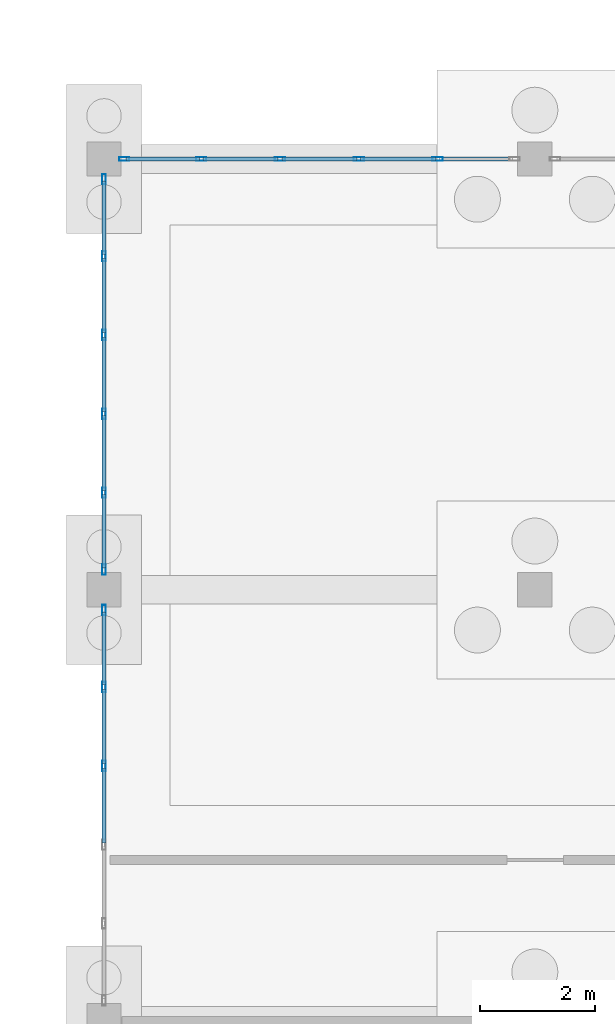
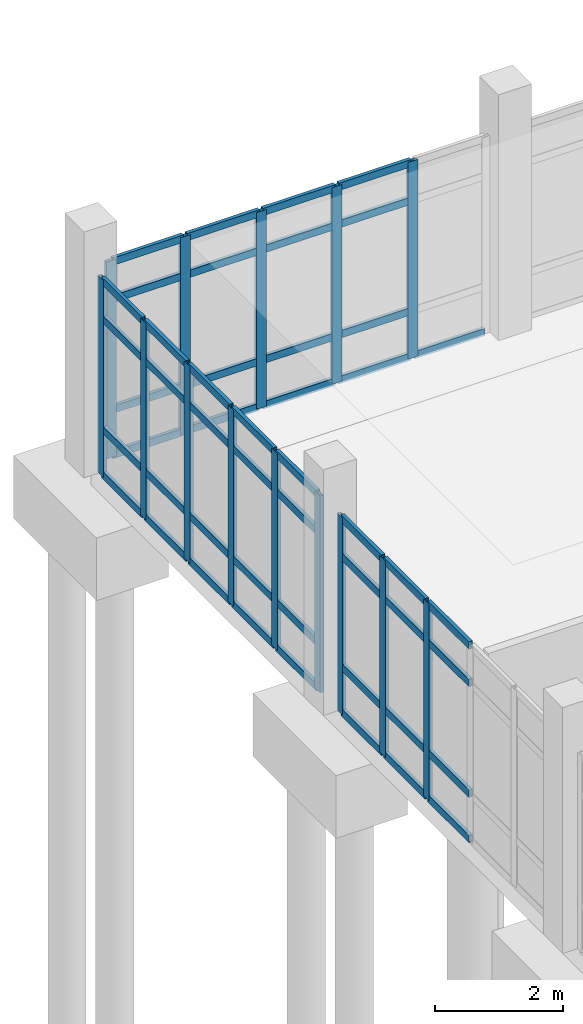
# One storey, part 56 of 173: 63 members, 3 elements without a shape of their own.
"""IFC4 building model written with IfcOpenShell, lengths in metres."""

from ifc_helpers import new_model, si_unit, direction, frame, origin, origin_2d, place, context, subcontext, project, spatial, hollow_rectangle, extrude, material, layer, layer_set, material_profile, profile_set, type_object, element, aggregate, save


model = new_model("IFC4")

# Units and contexts
model_context = context("Model", 3, precision=1e-05, world=origin(), true_north=direction((0.0, 1.0)))
body_context = subcontext(model_context, "Body", "Model", "MODEL_VIEW")
ifc_project = project(units=[si_unit("LENGTHUNIT", "METRE"), si_unit("AREAUNIT", "SQUARE_METRE"), si_unit("VOLUMEUNIT", "CUBIC_METRE"), si_unit("PLANEANGLEUNIT", "RADIAN"), si_unit("MASSUNIT", "GRAM", prefix="KILO")], contexts=[model_context])

# Site, building, storey
site_placement = place(None, origin())
site = spatial("IfcSite", under=ifc_project, at=site_placement, CompositionType="ELEMENT")
building_placement = place(site_placement, origin())
building = spatial("IfcBuilding", under=site, at=building_placement, Name="Mawjan Specialist Oncology Clinic", CompositionType="ELEMENT")
storey_placement = place(building_placement, origin())
storey = spatial("IfcBuildingStorey", under=building, at=storey_placement, Name="L00", CompositionType="ELEMENT", Elevation=0.0)

# Curtain wall, members
ifc_material_1 = material(Name="Unitised spectrally selective aluminium curtain wall", Category="aluminium")
ifc_layer = layer(ifc_material_1, 0.179931640625, Name="Unitised spectrally selective aluminium curtain wall", Category="aluminium")
ifc_layer_set = layer_set([ifc_layer], Name="Unitised spectrally selective aluminium curtain wall")
curtain_wall_type = type_object("IfcCurtainWallType", Name="CW-05", PredefinedType="NOTDEFINED", material=ifc_layer_set)
curtain_wall_1_placement = place(storey_placement, origin())
curtain_wall_1 = element("IfcCurtainWall", 1, at=curtain_wall_1_placement, inside=storey, type_object=curtain_wall_type, Name="L00 Unitised Curtain Wall CW-L00-007", PredefinedType="NOTDEFINED")
ifc_material_2 = material(Name="Thermally broken aluminium 6063-T6", Category="aluminium")
ifc_material_profile_1 = material_profile(ifc_material_2, hollow_rectangle(XDim=0.06494140625, YDim=0.179931640625, WallThickness=0.00390625, at=origin_2d()), Name="ALU MULLION 180x65x4", Category="aluminium")
ifc_profile_set_1 = profile_set([ifc_material_profile_1], Name="Thermally broken aluminium 6063-T6")
member_type_1 = type_object("IfcMemberType", Name="CW-M180", PredefinedType="MULLION", material=ifc_profile_set_1)
member_1_placement = place(storey_placement, frame((0.0, 65.236083984375, 0.0), z_axis=(0.0, 0.0, 1.0), x_axis=(-1.0, 0.0, 0.0)))
member_1 = element("IfcMember", 2, at=member_1_placement, type_object=member_type_1, Name="CW-05 mullion 4", PredefinedType="MULLION", context=body_context, shape_type="SweptSolid", body=[
    extrude(hollow_rectangle(XDim=0.06494140625, YDim=0.179931640625, WallThickness=0.00390625, at=origin_2d()), origin(), (0.0, 0.0, 1.0), 3.764892578125),
])
member_2_placement = place(storey_placement, frame((0.0, 66.60791015625, 0.0), z_axis=(0.0, 0.0, 1.0), x_axis=(-1.0, 0.0, 0.0)))
member_2 = element("IfcMember", 3, at=member_2_placement, type_object=member_type_1, Name="CW-05 mullion 5", PredefinedType="MULLION", context=body_context, shape_type="SweptSolid", body=[
    extrude(hollow_rectangle(XDim=0.06494140625, YDim=0.179931640625, WallThickness=0.00390625, at=origin_2d()), origin(), (0.0, 0.0, 1.0), 3.764892578125),
])
member_3_placement = place(storey_placement, frame((0.0, 67.947509765625, 0.0), z_axis=(0.0, 0.0, 1.0), x_axis=(-1.0, 0.0, 0.0)))
member_3 = element("IfcMember", 4, at=member_3_placement, type_object=member_type_1, Name="CW-05 mullion 6", PredefinedType="MULLION", context=body_context, shape_type="SweptSolid", body=[
    extrude(hollow_rectangle(XDim=0.06494140625, YDim=0.179931640625, WallThickness=0.00390625, at=origin_2d()), origin(), (0.0, 0.0, 1.0), 3.764892578125),
])

curtain_wall_2_placement = place(storey_placement, origin())
curtain_wall_2 = element("IfcCurtainWall", 5, at=curtain_wall_2_placement, inside=storey, type_object=curtain_wall_type, Name="L00 Unitised Curtain Wall CW-L00-008", PredefinedType="NOTDEFINED")
member_4_placement = place(storey_placement, frame((0.0, 68.652587890625, 0.0), z_axis=(0.0, 0.0, 1.0), x_axis=(-1.0, 0.0, 0.0)))
member_4 = element("IfcMember", 6, at=member_4_placement, type_object=member_type_1, Name="CW-05 mullion 1", PredefinedType="MULLION", context=body_context, shape_type="SweptSolid", body=[
    extrude(hollow_rectangle(XDim=0.06494140625, YDim=0.179931640625, WallThickness=0.00390625, at=origin_2d()), origin(), (0.0, 0.0, 1.0), 3.764892578125),
])
member_5_placement = place(storey_placement, frame((0.0, 69.991943359375, 0.0), z_axis=(0.0, 0.0, 1.0), x_axis=(-1.0, 0.0, 0.0)))
member_5 = element("IfcMember", 7, at=member_5_placement, type_object=member_type_1, Name="CW-05 mullion 2", PredefinedType="MULLION", context=body_context, shape_type="SweptSolid", body=[
    extrude(hollow_rectangle(XDim=0.06494140625, YDim=0.179931640625, WallThickness=0.00390625, at=origin_2d()), origin(), (0.0, 0.0, 1.0), 3.764892578125),
])
member_6_placement = place(storey_placement, frame((0.0, 71.364013671875, 0.0), z_axis=(0.0, 0.0, 1.0), x_axis=(-1.0, 0.0, 0.0)))
member_6 = element("IfcMember", 8, at=member_6_placement, type_object=member_type_1, Name="CW-05 mullion 3", PredefinedType="MULLION", context=body_context, shape_type="SweptSolid", body=[
    extrude(hollow_rectangle(XDim=0.06494140625, YDim=0.179931640625, WallThickness=0.00390625, at=origin_2d()), origin(), (0.0, 0.0, 1.0), 3.764892578125),
])
member_7_placement = place(storey_placement, frame((0.0, 72.736083984375, 0.0), z_axis=(0.0, 0.0, 1.0), x_axis=(-1.0, 0.0, 0.0)))
member_7 = element("IfcMember", 9, at=member_7_placement, type_object=member_type_1, Name="CW-05 mullion 4", PredefinedType="MULLION", context=body_context, shape_type="SweptSolid", body=[
    extrude(hollow_rectangle(XDim=0.06494140625, YDim=0.179931640625, WallThickness=0.00390625, at=origin_2d()), origin(), (0.0, 0.0, 1.0), 3.764892578125),
])
member_8_placement = place(storey_placement, frame((0.0, 74.10791015625, 0.0), z_axis=(0.0, 0.0, 1.0), x_axis=(-1.0, 0.0, 0.0)))
member_8 = element("IfcMember", 10, at=member_8_placement, type_object=member_type_1, Name="CW-05 mullion 5", PredefinedType="MULLION", context=body_context, shape_type="SweptSolid", body=[
    extrude(hollow_rectangle(XDim=0.06494140625, YDim=0.179931640625, WallThickness=0.00390625, at=origin_2d()), origin(), (0.0, 0.0, 1.0), 3.764892578125),
])
member_9_placement = place(storey_placement, frame((0.0, 75.447509765625, 0.0), z_axis=(0.0, 0.0, 1.0), x_axis=(-1.0, 0.0, 0.0)))
member_9 = element("IfcMember", 11, at=member_9_placement, type_object=member_type_1, Name="CW-05 mullion 6", PredefinedType="MULLION", context=body_context, shape_type="SweptSolid", body=[
    extrude(hollow_rectangle(XDim=0.06494140625, YDim=0.179931640625, WallThickness=0.00390625, at=origin_2d()), origin(), (0.0, 0.0, 1.0), 3.764892578125),
])

curtain_wall_3_placement = place(storey_placement, origin())
curtain_wall_3 = element("IfcCurtainWall", 12, at=curtain_wall_3_placement, inside=storey, type_object=curtain_wall_type, Name="L00 Unitised Curtain Wall CW-L00-009", PredefinedType="NOTDEFINED")
member_10_placement = place(storey_placement, frame((0.3525390625, 75.800048828125, 0.0), z_axis=(0.0, 0.0, 1.0), x_axis=(0.0, 1.0, 0.0)))
member_10 = element("IfcMember", 13, at=member_10_placement, type_object=member_type_1, Name="CW-05 mullion 1", PredefinedType="MULLION", context=body_context, shape_type="SweptSolid", body=[
    extrude(hollow_rectangle(XDim=0.06494140625, YDim=0.179931640625, WallThickness=0.00390625, at=origin_2d()), origin(), (0.0, 0.0, 1.0), 3.764892578125),
])
member_11_placement = place(storey_placement, frame((1.69189453125, 75.800048828125, 0.0), z_axis=(0.0, 0.0, 1.0), x_axis=(0.0, 1.0, 0.0)))
member_11 = element("IfcMember", 14, at=member_11_placement, type_object=member_type_1, Name="CW-05 mullion 2", PredefinedType="MULLION", context=body_context, shape_type="SweptSolid", body=[
    extrude(hollow_rectangle(XDim=0.06494140625, YDim=0.179931640625, WallThickness=0.00390625, at=origin_2d()), origin(), (0.0, 0.0, 1.0), 3.764892578125),
])
member_12_placement = place(storey_placement, frame((3.06396484375, 75.800048828125, 0.0), z_axis=(0.0, 0.0, 1.0), x_axis=(0.0, 1.0, 0.0)))
member_12 = element("IfcMember", 15, at=member_12_placement, type_object=member_type_1, Name="CW-05 mullion 3", PredefinedType="MULLION", context=body_context, shape_type="SweptSolid", body=[
    extrude(hollow_rectangle(XDim=0.06494140625, YDim=0.179931640625, WallThickness=0.00390625, at=origin_2d()), origin(), (0.0, 0.0, 1.0), 3.764892578125),
])
member_13_placement = place(storey_placement, frame((4.43603515625, 75.800048828125, 0.0), z_axis=(0.0, 0.0, 1.0), x_axis=(0.0, 1.0, 0.0)))
member_13 = element("IfcMember", 16, at=member_13_placement, type_object=member_type_1, Name="CW-05 mullion 4", PredefinedType="MULLION", context=body_context, shape_type="SweptSolid", body=[
    extrude(hollow_rectangle(XDim=0.06494140625, YDim=0.179931640625, WallThickness=0.00390625, at=origin_2d()), origin(), (0.0, 0.0, 1.0), 3.764892578125),
])
member_14_placement = place(storey_placement, frame((5.80810546875, 75.800048828125, 0.0), z_axis=(0.0, 0.0, 1.0), x_axis=(0.0, 1.0, 0.0)))
member_14 = element("IfcMember", 17, at=member_14_placement, type_object=member_type_1, Name="CW-05 mullion 5", PredefinedType="MULLION", context=body_context, shape_type="SweptSolid", body=[
    extrude(hollow_rectangle(XDim=0.06494140625, YDim=0.179931640625, WallThickness=0.00390625, at=origin_2d()), origin(), (0.0, 0.0, 1.0), 3.764892578125),
])

# Member
ifc_material_3 = material(Name="Thermally broken aluminium 6063-T6", Category="aluminium")
ifc_material_profile_2 = material_profile(ifc_material_3, hollow_rectangle(XDim=0.06494140625, YDim=0.139892578125, WallThickness=0.00390625, at=origin_2d()), Name="ALU TRANSOM 140x65x4", Category="aluminium")
ifc_profile_set_2 = profile_set([ifc_material_profile_2], Name="Thermally broken aluminium 6063-T6")
member_type_2 = type_object("IfcMemberType", Name="CW-T140", PredefinedType="USERDEFINED", material=ifc_profile_set_2)
member_15_placement = place(storey_placement, frame((0.0, 63.896484375, 0.032470703125), z_axis=(0.0, 1.0, 0.0), x_axis=(-1.0, 0.0, 0.0)))
member_15 = element("IfcMember", 18, at=member_15_placement, type_object=member_type_2, Name="CW-05 transom 3.1", ObjectType="TRANSOM", PredefinedType="USERDEFINED", context=body_context, shape_type="SweptSolid", body=[
    extrude(hollow_rectangle(XDim=0.06494140625, YDim=0.139892578125, WallThickness=0.00390625, at=origin_2d()), origin(), (0.0, 0.0, 1.0), 1.30712890625),
])

member_16_placement = place(storey_placement, frame((0.0, 63.896484375, 0.89990234375), z_axis=(0.0, 1.0, 0.0), x_axis=(-1.0, 0.0, 0.0)))
member_16 = element("IfcMember", 19, at=member_16_placement, type_object=member_type_2, Name="CW-05 transom 3.2", ObjectType="TRANSOM", PredefinedType="USERDEFINED", context=body_context, shape_type="SweptSolid", body=[
    extrude(hollow_rectangle(XDim=0.06494140625, YDim=0.139892578125, WallThickness=0.00390625, at=origin_2d()), origin(), (0.0, 0.0, 1.0), 1.30712890625),
])

member_17_placement = place(storey_placement, frame((0.0, 63.896484375, 3.014892578125), z_axis=(0.0, 1.0, 0.0), x_axis=(-1.0, 0.0, 0.0)))
member_17 = element("IfcMember", 20, at=member_17_placement, type_object=member_type_2, Name="CW-05 transom 3.3", ObjectType="TRANSOM", PredefinedType="USERDEFINED", context=body_context, shape_type="SweptSolid", body=[
    extrude(hollow_rectangle(XDim=0.06494140625, YDim=0.139892578125, WallThickness=0.00390625, at=origin_2d()), origin(), (0.0, 0.0, 1.0), 1.30712890625),
])

member_18_placement = place(storey_placement, frame((0.0, 63.896484375, 3.732421875), z_axis=(0.0, 1.0, 0.0), x_axis=(-1.0, 0.0, 0.0)))
member_18 = element("IfcMember", 21, at=member_18_placement, type_object=member_type_2, Name="CW-05 transom 3.4", ObjectType="TRANSOM", PredefinedType="USERDEFINED", context=body_context, shape_type="SweptSolid", body=[
    extrude(hollow_rectangle(XDim=0.06494140625, YDim=0.139892578125, WallThickness=0.00390625, at=origin_2d()), origin(), (0.0, 0.0, 1.0), 1.30712890625),
])

member_19_placement = place(storey_placement, frame((0.0, 65.2685546875, 0.032470703125), z_axis=(0.0, 1.0, 0.0), x_axis=(-1.0, 0.0, 0.0)))
member_19 = element("IfcMember", 22, at=member_19_placement, type_object=member_type_2, Name="CW-05 transom 4.1", ObjectType="TRANSOM", PredefinedType="USERDEFINED", context=body_context, shape_type="SweptSolid", body=[
    extrude(hollow_rectangle(XDim=0.06494140625, YDim=0.139892578125, WallThickness=0.00390625, at=origin_2d()), origin(), (0.0, 0.0, 1.0), 1.306884765625),
])

member_20_placement = place(storey_placement, frame((0.0, 65.2685546875, 0.89990234375), z_axis=(0.0, 1.0, 0.0), x_axis=(-1.0, 0.0, 0.0)))
member_20 = element("IfcMember", 23, at=member_20_placement, type_object=member_type_2, Name="CW-05 transom 4.2", ObjectType="TRANSOM", PredefinedType="USERDEFINED", context=body_context, shape_type="SweptSolid", body=[
    extrude(hollow_rectangle(XDim=0.06494140625, YDim=0.139892578125, WallThickness=0.00390625, at=origin_2d()), origin(), (0.0, 0.0, 1.0), 1.306884765625),
])

member_21_placement = place(storey_placement, frame((0.0, 65.2685546875, 3.014892578125), z_axis=(0.0, 1.0, 0.0), x_axis=(-1.0, 0.0, 0.0)))
member_21 = element("IfcMember", 24, at=member_21_placement, type_object=member_type_2, Name="CW-05 transom 4.3", ObjectType="TRANSOM", PredefinedType="USERDEFINED", context=body_context, shape_type="SweptSolid", body=[
    extrude(hollow_rectangle(XDim=0.06494140625, YDim=0.139892578125, WallThickness=0.00390625, at=origin_2d()), origin(), (0.0, 0.0, 1.0), 1.306884765625),
])

member_22_placement = place(storey_placement, frame((0.0, 65.2685546875, 3.732421875), z_axis=(0.0, 1.0, 0.0), x_axis=(-1.0, 0.0, 0.0)))
member_22 = element("IfcMember", 25, at=member_22_placement, type_object=member_type_2, Name="CW-05 transom 4.4", ObjectType="TRANSOM", PredefinedType="USERDEFINED", context=body_context, shape_type="SweptSolid", body=[
    extrude(hollow_rectangle(XDim=0.06494140625, YDim=0.139892578125, WallThickness=0.00390625, at=origin_2d()), origin(), (0.0, 0.0, 1.0), 1.306884765625),
])

member_23_placement = place(storey_placement, frame((0.0, 66.640380859375, 0.032470703125), z_axis=(0.0, 1.0, 0.0), x_axis=(-1.0, 0.0, 0.0)))
member_23 = element("IfcMember", 26, at=member_23_placement, type_object=member_type_2, Name="CW-05 transom 5.1", ObjectType="TRANSOM", PredefinedType="USERDEFINED", context=body_context, shape_type="SweptSolid", body=[
    extrude(hollow_rectangle(XDim=0.06494140625, YDim=0.139892578125, WallThickness=0.00390625, at=origin_2d()), origin(), (0.0, 0.0, 1.0), 1.274658203125),
])

member_24_placement = place(storey_placement, frame((0.0, 66.640380859375, 0.89990234375), z_axis=(0.0, 1.0, 0.0), x_axis=(-1.0, 0.0, 0.0)))
member_24 = element("IfcMember", 27, at=member_24_placement, type_object=member_type_2, Name="CW-05 transom 5.2", ObjectType="TRANSOM", PredefinedType="USERDEFINED", context=body_context, shape_type="SweptSolid", body=[
    extrude(hollow_rectangle(XDim=0.06494140625, YDim=0.139892578125, WallThickness=0.00390625, at=origin_2d()), origin(), (0.0, 0.0, 1.0), 1.274658203125),
])

member_25_placement = place(storey_placement, frame((0.0, 66.640380859375, 3.014892578125), z_axis=(0.0, 1.0, 0.0), x_axis=(-1.0, 0.0, 0.0)))
member_25 = element("IfcMember", 28, at=member_25_placement, type_object=member_type_2, Name="CW-05 transom 5.3", ObjectType="TRANSOM", PredefinedType="USERDEFINED", context=body_context, shape_type="SweptSolid", body=[
    extrude(hollow_rectangle(XDim=0.06494140625, YDim=0.139892578125, WallThickness=0.00390625, at=origin_2d()), origin(), (0.0, 0.0, 1.0), 1.274658203125),
])

member_26_placement = place(storey_placement, frame((0.0, 66.640380859375, 3.732421875), z_axis=(0.0, 1.0, 0.0), x_axis=(-1.0, 0.0, 0.0)))
member_26 = element("IfcMember", 29, at=member_26_placement, type_object=member_type_2, Name="CW-05 transom 5.4", ObjectType="TRANSOM", PredefinedType="USERDEFINED", context=body_context, shape_type="SweptSolid", body=[
    extrude(hollow_rectangle(XDim=0.06494140625, YDim=0.139892578125, WallThickness=0.00390625, at=origin_2d()), origin(), (0.0, 0.0, 1.0), 1.274658203125),
])

aggregate(curtain_wall_1, [member_1, member_2, member_3, member_15, member_16, member_17, member_18, member_19, member_20, member_21, member_22, member_23, member_24, member_25, member_26])

member_27_placement = place(storey_placement, frame((0.0, 68.68505859375, 0.032470703125), z_axis=(0.0, 1.0, 0.0), x_axis=(-1.0, 0.0, 0.0)))
member_27 = element("IfcMember", 30, at=member_27_placement, type_object=member_type_2, Name="CW-05 transom 1.1", ObjectType="TRANSOM", PredefinedType="USERDEFINED", context=body_context, shape_type="SweptSolid", body=[
    extrude(hollow_rectangle(XDim=0.06494140625, YDim=0.139892578125, WallThickness=0.00390625, at=origin_2d()), origin(), (0.0, 0.0, 1.0), 1.2744140625),
])

member_28_placement = place(storey_placement, frame((0.0, 68.68505859375, 0.89990234375), z_axis=(0.0, 1.0, 0.0), x_axis=(-1.0, 0.0, 0.0)))
member_28 = element("IfcMember", 31, at=member_28_placement, type_object=member_type_2, Name="CW-05 transom 1.2", ObjectType="TRANSOM", PredefinedType="USERDEFINED", context=body_context, shape_type="SweptSolid", body=[
    extrude(hollow_rectangle(XDim=0.06494140625, YDim=0.139892578125, WallThickness=0.00390625, at=origin_2d()), origin(), (0.0, 0.0, 1.0), 1.2744140625),
])

member_29_placement = place(storey_placement, frame((0.0, 68.68505859375, 3.014892578125), z_axis=(0.0, 1.0, 0.0), x_axis=(-1.0, 0.0, 0.0)))
member_29 = element("IfcMember", 32, at=member_29_placement, type_object=member_type_2, Name="CW-05 transom 1.3", ObjectType="TRANSOM", PredefinedType="USERDEFINED", context=body_context, shape_type="SweptSolid", body=[
    extrude(hollow_rectangle(XDim=0.06494140625, YDim=0.139892578125, WallThickness=0.00390625, at=origin_2d()), origin(), (0.0, 0.0, 1.0), 1.2744140625),
])

member_30_placement = place(storey_placement, frame((0.0, 68.68505859375, 3.732421875), z_axis=(0.0, 1.0, 0.0), x_axis=(-1.0, 0.0, 0.0)))
member_30 = element("IfcMember", 33, at=member_30_placement, type_object=member_type_2, Name="CW-05 transom 1.4", ObjectType="TRANSOM", PredefinedType="USERDEFINED", context=body_context, shape_type="SweptSolid", body=[
    extrude(hollow_rectangle(XDim=0.06494140625, YDim=0.139892578125, WallThickness=0.00390625, at=origin_2d()), origin(), (0.0, 0.0, 1.0), 1.2744140625),
])

member_31_placement = place(storey_placement, frame((0.0, 70.0244140625, 0.032470703125), z_axis=(0.0, 1.0, 0.0), x_axis=(-1.0, 0.0, 0.0)))
member_31 = element("IfcMember", 34, at=member_31_placement, type_object=member_type_2, Name="CW-05 transom 2.1", ObjectType="TRANSOM", PredefinedType="USERDEFINED", context=body_context, shape_type="SweptSolid", body=[
    extrude(hollow_rectangle(XDim=0.06494140625, YDim=0.139892578125, WallThickness=0.00390625, at=origin_2d()), origin(), (0.0, 0.0, 1.0), 1.30712890625),
])

member_32_placement = place(storey_placement, frame((0.0, 70.0244140625, 0.89990234375), z_axis=(0.0, 1.0, 0.0), x_axis=(-1.0, 0.0, 0.0)))
member_32 = element("IfcMember", 35, at=member_32_placement, type_object=member_type_2, Name="CW-05 transom 2.2", ObjectType="TRANSOM", PredefinedType="USERDEFINED", context=body_context, shape_type="SweptSolid", body=[
    extrude(hollow_rectangle(XDim=0.06494140625, YDim=0.139892578125, WallThickness=0.00390625, at=origin_2d()), origin(), (0.0, 0.0, 1.0), 1.30712890625),
])

member_33_placement = place(storey_placement, frame((0.0, 70.0244140625, 3.014892578125), z_axis=(0.0, 1.0, 0.0), x_axis=(-1.0, 0.0, 0.0)))
member_33 = element("IfcMember", 36, at=member_33_placement, type_object=member_type_2, Name="CW-05 transom 2.3", ObjectType="TRANSOM", PredefinedType="USERDEFINED", context=body_context, shape_type="SweptSolid", body=[
    extrude(hollow_rectangle(XDim=0.06494140625, YDim=0.139892578125, WallThickness=0.00390625, at=origin_2d()), origin(), (0.0, 0.0, 1.0), 1.30712890625),
])

member_34_placement = place(storey_placement, frame((0.0, 70.0244140625, 3.732421875), z_axis=(0.0, 1.0, 0.0), x_axis=(-1.0, 0.0, 0.0)))
member_34 = element("IfcMember", 37, at=member_34_placement, type_object=member_type_2, Name="CW-05 transom 2.4", ObjectType="TRANSOM", PredefinedType="USERDEFINED", context=body_context, shape_type="SweptSolid", body=[
    extrude(hollow_rectangle(XDim=0.06494140625, YDim=0.139892578125, WallThickness=0.00390625, at=origin_2d()), origin(), (0.0, 0.0, 1.0), 1.30712890625),
])

member_35_placement = place(storey_placement, frame((0.0, 71.396484375, 0.032470703125), z_axis=(0.0, 1.0, 0.0), x_axis=(-1.0, 0.0, 0.0)))
member_35 = element("IfcMember", 38, at=member_35_placement, type_object=member_type_2, Name="CW-05 transom 3.1", ObjectType="TRANSOM", PredefinedType="USERDEFINED", context=body_context, shape_type="SweptSolid", body=[
    extrude(hollow_rectangle(XDim=0.06494140625, YDim=0.139892578125, WallThickness=0.00390625, at=origin_2d()), origin(), (0.0, 0.0, 1.0), 1.30712890625),
])

member_36_placement = place(storey_placement, frame((0.0, 71.396484375, 0.89990234375), z_axis=(0.0, 1.0, 0.0), x_axis=(-1.0, 0.0, 0.0)))
member_36 = element("IfcMember", 39, at=member_36_placement, type_object=member_type_2, Name="CW-05 transom 3.2", ObjectType="TRANSOM", PredefinedType="USERDEFINED", context=body_context, shape_type="SweptSolid", body=[
    extrude(hollow_rectangle(XDim=0.06494140625, YDim=0.139892578125, WallThickness=0.00390625, at=origin_2d()), origin(), (0.0, 0.0, 1.0), 1.30712890625),
])

member_37_placement = place(storey_placement, frame((0.0, 71.396484375, 3.014892578125), z_axis=(0.0, 1.0, 0.0), x_axis=(-1.0, 0.0, 0.0)))
member_37 = element("IfcMember", 40, at=member_37_placement, type_object=member_type_2, Name="CW-05 transom 3.3", ObjectType="TRANSOM", PredefinedType="USERDEFINED", context=body_context, shape_type="SweptSolid", body=[
    extrude(hollow_rectangle(XDim=0.06494140625, YDim=0.139892578125, WallThickness=0.00390625, at=origin_2d()), origin(), (0.0, 0.0, 1.0), 1.30712890625),
])

member_38_placement = place(storey_placement, frame((0.0, 71.396484375, 3.732421875), z_axis=(0.0, 1.0, 0.0), x_axis=(-1.0, 0.0, 0.0)))
member_38 = element("IfcMember", 41, at=member_38_placement, type_object=member_type_2, Name="CW-05 transom 3.4", ObjectType="TRANSOM", PredefinedType="USERDEFINED", context=body_context, shape_type="SweptSolid", body=[
    extrude(hollow_rectangle(XDim=0.06494140625, YDim=0.139892578125, WallThickness=0.00390625, at=origin_2d()), origin(), (0.0, 0.0, 1.0), 1.30712890625),
])

member_39_placement = place(storey_placement, frame((0.0, 72.7685546875, 0.032470703125), z_axis=(0.0, 1.0, 0.0), x_axis=(-1.0, 0.0, 0.0)))
member_39 = element("IfcMember", 42, at=member_39_placement, type_object=member_type_2, Name="CW-05 transom 4.1", ObjectType="TRANSOM", PredefinedType="USERDEFINED", context=body_context, shape_type="SweptSolid", body=[
    extrude(hollow_rectangle(XDim=0.06494140625, YDim=0.139892578125, WallThickness=0.00390625, at=origin_2d()), origin(), (0.0, 0.0, 1.0), 1.306884765625),
])

member_40_placement = place(storey_placement, frame((0.0, 72.7685546875, 0.89990234375), z_axis=(0.0, 1.0, 0.0), x_axis=(-1.0, 0.0, 0.0)))
member_40 = element("IfcMember", 43, at=member_40_placement, type_object=member_type_2, Name="CW-05 transom 4.2", ObjectType="TRANSOM", PredefinedType="USERDEFINED", context=body_context, shape_type="SweptSolid", body=[
    extrude(hollow_rectangle(XDim=0.06494140625, YDim=0.139892578125, WallThickness=0.00390625, at=origin_2d()), origin(), (0.0, 0.0, 1.0), 1.306884765625),
])

member_41_placement = place(storey_placement, frame((0.0, 72.7685546875, 3.014892578125), z_axis=(0.0, 1.0, 0.0), x_axis=(-1.0, 0.0, 0.0)))
member_41 = element("IfcMember", 44, at=member_41_placement, type_object=member_type_2, Name="CW-05 transom 4.3", ObjectType="TRANSOM", PredefinedType="USERDEFINED", context=body_context, shape_type="SweptSolid", body=[
    extrude(hollow_rectangle(XDim=0.06494140625, YDim=0.139892578125, WallThickness=0.00390625, at=origin_2d()), origin(), (0.0, 0.0, 1.0), 1.306884765625),
])

member_42_placement = place(storey_placement, frame((0.0, 72.7685546875, 3.732421875), z_axis=(0.0, 1.0, 0.0), x_axis=(-1.0, 0.0, 0.0)))
member_42 = element("IfcMember", 45, at=member_42_placement, type_object=member_type_2, Name="CW-05 transom 4.4", ObjectType="TRANSOM", PredefinedType="USERDEFINED", context=body_context, shape_type="SweptSolid", body=[
    extrude(hollow_rectangle(XDim=0.06494140625, YDim=0.139892578125, WallThickness=0.00390625, at=origin_2d()), origin(), (0.0, 0.0, 1.0), 1.306884765625),
])

member_43_placement = place(storey_placement, frame((0.0, 74.140380859375, 0.032470703125), z_axis=(0.0, 1.0, 0.0), x_axis=(-1.0, 0.0, 0.0)))
member_43 = element("IfcMember", 46, at=member_43_placement, type_object=member_type_2, Name="CW-05 transom 5.1", ObjectType="TRANSOM", PredefinedType="USERDEFINED", context=body_context, shape_type="SweptSolid", body=[
    extrude(hollow_rectangle(XDim=0.06494140625, YDim=0.139892578125, WallThickness=0.00390625, at=origin_2d()), origin(), (0.0, 0.0, 1.0), 1.274658203125),
])

member_44_placement = place(storey_placement, frame((0.0, 74.140380859375, 0.89990234375), z_axis=(0.0, 1.0, 0.0), x_axis=(-1.0, 0.0, 0.0)))
member_44 = element("IfcMember", 47, at=member_44_placement, type_object=member_type_2, Name="CW-05 transom 5.2", ObjectType="TRANSOM", PredefinedType="USERDEFINED", context=body_context, shape_type="SweptSolid", body=[
    extrude(hollow_rectangle(XDim=0.06494140625, YDim=0.139892578125, WallThickness=0.00390625, at=origin_2d()), origin(), (0.0, 0.0, 1.0), 1.274658203125),
])

member_45_placement = place(storey_placement, frame((0.0, 74.140380859375, 3.014892578125), z_axis=(0.0, 1.0, 0.0), x_axis=(-1.0, 0.0, 0.0)))
member_45 = element("IfcMember", 48, at=member_45_placement, type_object=member_type_2, Name="CW-05 transom 5.3", ObjectType="TRANSOM", PredefinedType="USERDEFINED", context=body_context, shape_type="SweptSolid", body=[
    extrude(hollow_rectangle(XDim=0.06494140625, YDim=0.139892578125, WallThickness=0.00390625, at=origin_2d()), origin(), (0.0, 0.0, 1.0), 1.274658203125),
])

member_46_placement = place(storey_placement, frame((0.0, 74.140380859375, 3.732421875), z_axis=(0.0, 1.0, 0.0), x_axis=(-1.0, 0.0, 0.0)))
member_46 = element("IfcMember", 49, at=member_46_placement, type_object=member_type_2, Name="CW-05 transom 5.4", ObjectType="TRANSOM", PredefinedType="USERDEFINED", context=body_context, shape_type="SweptSolid", body=[
    extrude(hollow_rectangle(XDim=0.06494140625, YDim=0.139892578125, WallThickness=0.00390625, at=origin_2d()), origin(), (0.0, 0.0, 1.0), 1.274658203125),
])

aggregate(curtain_wall_2, [member_4, member_5, member_6, member_7, member_8, member_9, member_27, member_28, member_29, member_30, member_31, member_32, member_33, member_34, member_35, member_36, member_37, member_38, member_39, member_40, member_41, member_42, member_43, member_44, member_45, member_46])

member_47_placement = place(storey_placement, frame((0.385009765625, 75.800048828125, 0.032470703125), z_axis=(1.0, 0.0, 0.0), x_axis=(0.0, 1.0, 0.0)))
member_47 = element("IfcMember", 50, at=member_47_placement, type_object=member_type_2, Name="CW-05 transom 1.1", ObjectType="TRANSOM", PredefinedType="USERDEFINED", context=body_context, shape_type="SweptSolid", body=[
    extrude(hollow_rectangle(XDim=0.06494140625, YDim=0.139892578125, WallThickness=0.00390625, at=origin_2d()), origin(), (0.0, 0.0, 1.0), 1.2744140625),
])

member_48_placement = place(storey_placement, frame((0.385009765625, 75.800048828125, 0.89990234375), z_axis=(1.0, 0.0, 0.0), x_axis=(0.0, 1.0, 0.0)))
member_48 = element("IfcMember", 51, at=member_48_placement, type_object=member_type_2, Name="CW-05 transom 1.2", ObjectType="TRANSOM", PredefinedType="USERDEFINED", context=body_context, shape_type="SweptSolid", body=[
    extrude(hollow_rectangle(XDim=0.06494140625, YDim=0.139892578125, WallThickness=0.00390625, at=origin_2d()), origin(), (0.0, 0.0, 1.0), 1.2744140625),
])

member_49_placement = place(storey_placement, frame((0.385009765625, 75.800048828125, 3.014892578125), z_axis=(1.0, 0.0, 0.0), x_axis=(0.0, 1.0, 0.0)))
member_49 = element("IfcMember", 52, at=member_49_placement, type_object=member_type_2, Name="CW-05 transom 1.3", ObjectType="TRANSOM", PredefinedType="USERDEFINED", context=body_context, shape_type="SweptSolid", body=[
    extrude(hollow_rectangle(XDim=0.06494140625, YDim=0.139892578125, WallThickness=0.00390625, at=origin_2d()), origin(), (0.0, 0.0, 1.0), 1.2744140625),
])

member_50_placement = place(storey_placement, frame((0.385009765625, 75.800048828125, 3.732421875), z_axis=(1.0, 0.0, 0.0), x_axis=(0.0, 1.0, 0.0)))
member_50 = element("IfcMember", 53, at=member_50_placement, type_object=member_type_2, Name="CW-05 transom 1.4", ObjectType="TRANSOM", PredefinedType="USERDEFINED", context=body_context, shape_type="SweptSolid", body=[
    extrude(hollow_rectangle(XDim=0.06494140625, YDim=0.139892578125, WallThickness=0.00390625, at=origin_2d()), origin(), (0.0, 0.0, 1.0), 1.2744140625),
])

member_51_placement = place(storey_placement, frame((1.724609375, 75.800048828125, 0.032470703125), z_axis=(1.0, 0.0, 0.0), x_axis=(0.0, 1.0, 0.0)))
member_51 = element("IfcMember", 54, at=member_51_placement, type_object=member_type_2, Name="CW-05 transom 2.1", ObjectType="TRANSOM", PredefinedType="USERDEFINED", context=body_context, shape_type="SweptSolid", body=[
    extrude(hollow_rectangle(XDim=0.06494140625, YDim=0.139892578125, WallThickness=0.00390625, at=origin_2d()), origin(), (0.0, 0.0, 1.0), 1.306884765625),
])

member_52_placement = place(storey_placement, frame((1.724609375, 75.800048828125, 0.89990234375), z_axis=(1.0, 0.0, 0.0), x_axis=(0.0, 1.0, 0.0)))
member_52 = element("IfcMember", 55, at=member_52_placement, type_object=member_type_2, Name="CW-05 transom 2.2", ObjectType="TRANSOM", PredefinedType="USERDEFINED", context=body_context, shape_type="SweptSolid", body=[
    extrude(hollow_rectangle(XDim=0.06494140625, YDim=0.139892578125, WallThickness=0.00390625, at=origin_2d()), origin(), (0.0, 0.0, 1.0), 1.306884765625),
])

member_53_placement = place(storey_placement, frame((1.724609375, 75.800048828125, 3.014892578125), z_axis=(1.0, 0.0, 0.0), x_axis=(0.0, 1.0, 0.0)))
member_53 = element("IfcMember", 56, at=member_53_placement, type_object=member_type_2, Name="CW-05 transom 2.3", ObjectType="TRANSOM", PredefinedType="USERDEFINED", context=body_context, shape_type="SweptSolid", body=[
    extrude(hollow_rectangle(XDim=0.06494140625, YDim=0.139892578125, WallThickness=0.00390625, at=origin_2d()), origin(), (0.0, 0.0, 1.0), 1.306884765625),
])

member_54_placement = place(storey_placement, frame((1.724609375, 75.800048828125, 3.732421875), z_axis=(1.0, 0.0, 0.0), x_axis=(0.0, 1.0, 0.0)))
member_54 = element("IfcMember", 57, at=member_54_placement, type_object=member_type_2, Name="CW-05 transom 2.4", ObjectType="TRANSOM", PredefinedType="USERDEFINED", context=body_context, shape_type="SweptSolid", body=[
    extrude(hollow_rectangle(XDim=0.06494140625, YDim=0.139892578125, WallThickness=0.00390625, at=origin_2d()), origin(), (0.0, 0.0, 1.0), 1.306884765625),
])

member_55_placement = place(storey_placement, frame((3.096435546875, 75.800048828125, 0.032470703125), z_axis=(1.0, 0.0, 0.0), x_axis=(0.0, 1.0, 0.0)))
member_55 = element("IfcMember", 58, at=member_55_placement, type_object=member_type_2, Name="CW-05 transom 3.1", ObjectType="TRANSOM", PredefinedType="USERDEFINED", context=body_context, shape_type="SweptSolid", body=[
    extrude(hollow_rectangle(XDim=0.06494140625, YDim=0.139892578125, WallThickness=0.00390625, at=origin_2d()), origin(), (0.0, 0.0, 1.0), 1.30712890625),
])

member_56_placement = place(storey_placement, frame((3.096435546875, 75.800048828125, 0.89990234375), z_axis=(1.0, 0.0, 0.0), x_axis=(0.0, 1.0, 0.0)))
member_56 = element("IfcMember", 59, at=member_56_placement, type_object=member_type_2, Name="CW-05 transom 3.2", ObjectType="TRANSOM", PredefinedType="USERDEFINED", context=body_context, shape_type="SweptSolid", body=[
    extrude(hollow_rectangle(XDim=0.06494140625, YDim=0.139892578125, WallThickness=0.00390625, at=origin_2d()), origin(), (0.0, 0.0, 1.0), 1.30712890625),
])

member_57_placement = place(storey_placement, frame((3.096435546875, 75.800048828125, 3.014892578125), z_axis=(1.0, 0.0, 0.0), x_axis=(0.0, 1.0, 0.0)))
member_57 = element("IfcMember", 60, at=member_57_placement, type_object=member_type_2, Name="CW-05 transom 3.3", ObjectType="TRANSOM", PredefinedType="USERDEFINED", context=body_context, shape_type="SweptSolid", body=[
    extrude(hollow_rectangle(XDim=0.06494140625, YDim=0.139892578125, WallThickness=0.00390625, at=origin_2d()), origin(), (0.0, 0.0, 1.0), 1.30712890625),
])

member_58_placement = place(storey_placement, frame((3.096435546875, 75.800048828125, 3.732421875), z_axis=(1.0, 0.0, 0.0), x_axis=(0.0, 1.0, 0.0)))
member_58 = element("IfcMember", 61, at=member_58_placement, type_object=member_type_2, Name="CW-05 transom 3.4", ObjectType="TRANSOM", PredefinedType="USERDEFINED", context=body_context, shape_type="SweptSolid", body=[
    extrude(hollow_rectangle(XDim=0.06494140625, YDim=0.139892578125, WallThickness=0.00390625, at=origin_2d()), origin(), (0.0, 0.0, 1.0), 1.30712890625),
])

member_59_placement = place(storey_placement, frame((4.468505859375, 75.800048828125, 0.032470703125), z_axis=(1.0, 0.0, 0.0), x_axis=(0.0, 1.0, 0.0)))
member_59 = element("IfcMember", 62, at=member_59_placement, type_object=member_type_2, Name="CW-05 transom 4.1", ObjectType="TRANSOM", PredefinedType="USERDEFINED", context=body_context, shape_type="SweptSolid", body=[
    extrude(hollow_rectangle(XDim=0.06494140625, YDim=0.139892578125, WallThickness=0.00390625, at=origin_2d()), origin(), (0.0, 0.0, 1.0), 1.306884765625),
])

member_60_placement = place(storey_placement, frame((4.468505859375, 75.800048828125, 0.89990234375), z_axis=(1.0, 0.0, 0.0), x_axis=(0.0, 1.0, 0.0)))
member_60 = element("IfcMember", 63, at=member_60_placement, type_object=member_type_2, Name="CW-05 transom 4.2", ObjectType="TRANSOM", PredefinedType="USERDEFINED", context=body_context, shape_type="SweptSolid", body=[
    extrude(hollow_rectangle(XDim=0.06494140625, YDim=0.139892578125, WallThickness=0.00390625, at=origin_2d()), origin(), (0.0, 0.0, 1.0), 1.306884765625),
])

member_61_placement = place(storey_placement, frame((4.468505859375, 75.800048828125, 3.014892578125), z_axis=(1.0, 0.0, 0.0), x_axis=(0.0, 1.0, 0.0)))
member_61 = element("IfcMember", 64, at=member_61_placement, type_object=member_type_2, Name="CW-05 transom 4.3", ObjectType="TRANSOM", PredefinedType="USERDEFINED", context=body_context, shape_type="SweptSolid", body=[
    extrude(hollow_rectangle(XDim=0.06494140625, YDim=0.139892578125, WallThickness=0.00390625, at=origin_2d()), origin(), (0.0, 0.0, 1.0), 1.306884765625),
])

member_62_placement = place(storey_placement, frame((4.468505859375, 75.800048828125, 3.732421875), z_axis=(1.0, 0.0, 0.0), x_axis=(0.0, 1.0, 0.0)))
member_62 = element("IfcMember", 65, at=member_62_placement, type_object=member_type_2, Name="CW-05 transom 4.4", ObjectType="TRANSOM", PredefinedType="USERDEFINED", context=body_context, shape_type="SweptSolid", body=[
    extrude(hollow_rectangle(XDim=0.06494140625, YDim=0.139892578125, WallThickness=0.00390625, at=origin_2d()), origin(), (0.0, 0.0, 1.0), 1.306884765625),
])

member_63_placement = place(storey_placement, frame((5.840576171875, 75.800048828125, 0.032470703125), z_axis=(1.0, 0.0, 0.0), x_axis=(0.0, 1.0, 0.0)))
member_63 = element("IfcMember", 66, at=member_63_placement, type_object=member_type_2, Name="CW-05 transom 5.1", ObjectType="TRANSOM", PredefinedType="USERDEFINED", context=body_context, shape_type="SweptSolid", body=[
    extrude(hollow_rectangle(XDim=0.06494140625, YDim=0.139892578125, WallThickness=0.00390625, at=origin_2d()), origin(), (0.0, 0.0, 1.0), 1.2744140625),
])

aggregate(curtain_wall_3, [member_10, member_11, member_12, member_13, member_14, member_47, member_48, member_49, member_50, member_51, member_52, member_53, member_54, member_55, member_56, member_57, member_58, member_59, member_60, member_61, member_62, member_63])

save(model, "model.ifc")
